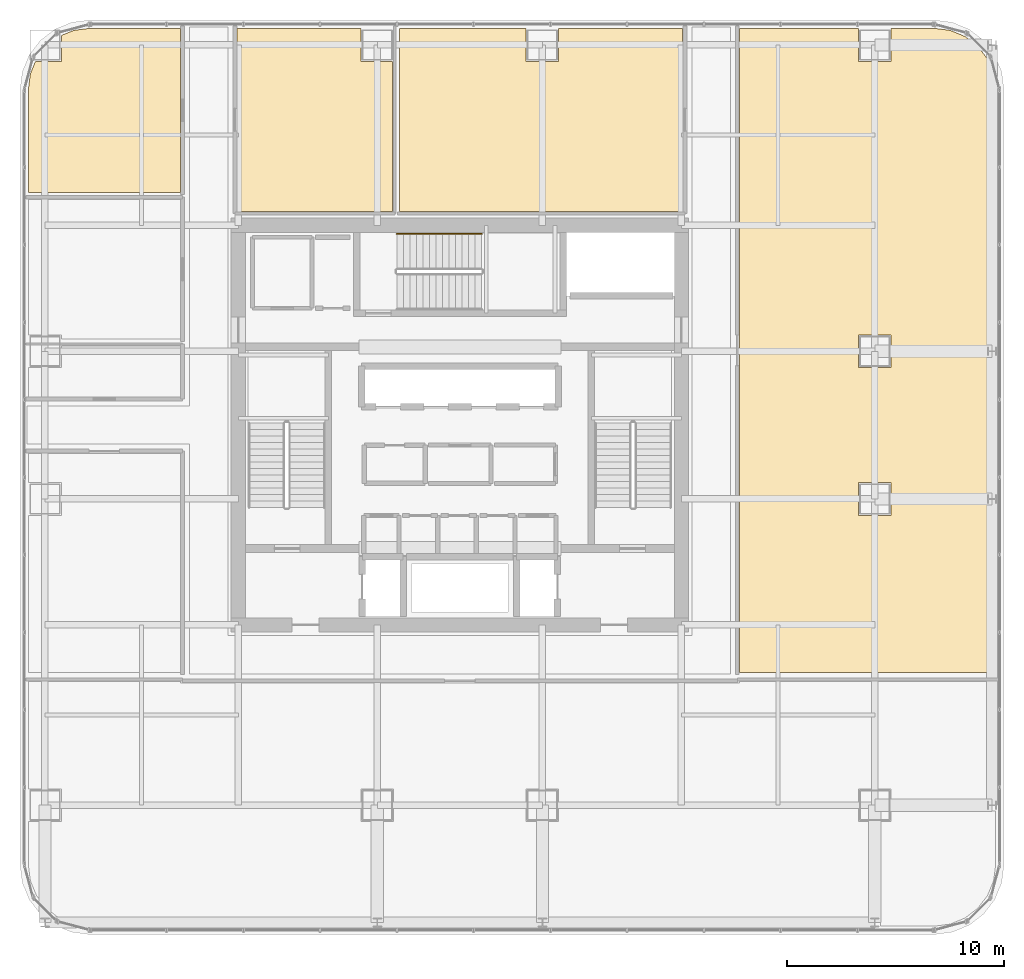
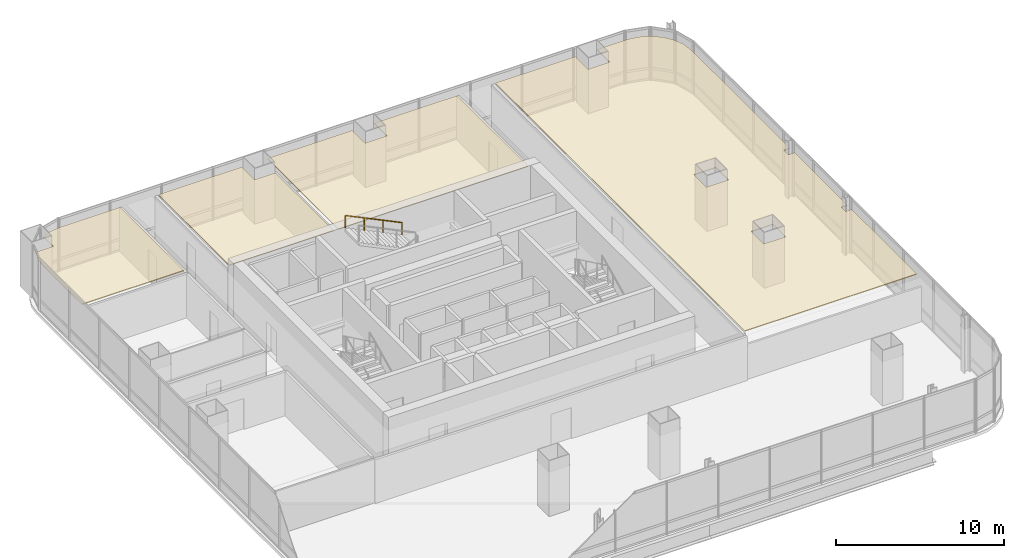
# One storey, part 36 of 36: 4 coverings, 1 railing.
"""IFC4 building model written with IfcOpenShell, lengths in metres."""

from ifc_helpers import new_model, si_unit, direction, frame, origin, origin_2d, place, context, subcontext, project, spatial, polyline, circle, outline, extrude, material, layer, layer_set, type_object, element, save


model = new_model("IFC4")

# Units and contexts
model_context = context("Model", 3, precision=1e-05, world=origin(), true_north=direction((0.0, 1.0)))
body_context = subcontext(model_context, "Body", "Model", "MODEL_VIEW")
ifc_project = project(units=[si_unit("LENGTHUNIT", "METRE"), si_unit("AREAUNIT", "SQUARE_METRE"), si_unit("VOLUMEUNIT", "CUBIC_METRE"), si_unit("PLANEANGLEUNIT", "RADIAN"), si_unit("MASSUNIT", "GRAM", prefix="KILO")], contexts=[model_context])

# Site, building, storey
site_placement = place(None, origin())
site = spatial("IfcSite", under=ifc_project, at=site_placement, CompositionType="ELEMENT")
building_placement = place(site_placement, origin())
building = spatial("IfcBuilding", under=site, at=building_placement, Name="Punatoya Terracotta Tower", CompositionType="ELEMENT")
storey_placement = place(building_placement, frame((0.0, 0.0, 212.699951171875)))
storey = spatial("IfcBuildingStorey", under=building, at=storey_placement, Name="L50", CompositionType="ELEMENT", Elevation=212.699951171875)

# Coverings
ifc_material_1 = material(Name="Acoustic Mineral Fibre Ceiling")
ifc_layer = layer(ifc_material_1, 0.06005859375)
ifc_layer_set = layer_set([ifc_layer], Name="Acoustic Mineral Fibre Ceiling")
covering_type = type_object("IfcCoveringType", Name="COV-CEIL-60", PredefinedType="CEILING", material=ifc_layer_set)
covering_1_placement = place(storey_placement, frame((0.0, 0.0, 3.219970703125)))
element("IfcCovering", 1, at=covering_1_placement, inside=storey, type_object=covering_type, Name="L50 Executive Briefing Room Acoustic Ceiling", PredefinedType="CEILING", context=body_context, shape_type="SweptSolid", body=[
    extrude(outline(polyline([(18.35009765625, 18.27001953125), (12.8701171875, 18.27001953125), (12.8701171875, -11.389892578125), (24.669921875, -11.389892578125), (24.669921875, -3.66259765625), (24.24560546875, -3.66259765625), (24.24560546875, -3.137451171875), (24.669921875, -3.137451171875), (24.669921875, 3.137451171875), (24.24560546875, 3.137451171875), (24.24560546875, 3.66259765625), (24.669921875, 3.66259765625), (24.669921875, 15.425048828125), (24.57080078125, 16.178955078125), (24.289306640625, 16.8583984375), (23.841796875, 17.441650390625), (23.25830078125, 17.889404296875), (22.5791015625, 18.1708984375), (21.8251953125, 18.27001953125), (19.85009765625, 18.27001953125), (19.85009765625, 16.75), (18.35009765625, 16.75), (18.35009765625, 18.27001953125)]), holes=[polyline([(18.35009765625, -4.14990234375), (18.35009765625, -2.64990234375), (19.85009765625, -2.64990234375), (19.85009765625, -4.14990234375), (18.35009765625, -4.14990234375)]), polyline([(18.35009765625, 4.14990234375), (19.85009765625, 4.14990234375), (19.85009765625, 2.64990234375), (18.35009765625, 2.64990234375), (18.35009765625, 4.14990234375)])]), origin(), (0.0, 0.0, 1.0), 0.06005859375),
])
covering_2_placement = place(storey_placement, frame((0.0, 0.0, 3.219970703125)))
element("IfcCovering", 2, at=covering_2_placement, inside=storey, type_object=covering_type, Name="L50 Open-Plan Delegate Reception Lounge Acoustic Ceiling", PredefinedType="CEILING", context=body_context, shape_type="SweptSolid", body=[
    extrude(outline(polyline([(-4.550048828125, 16.75), (-4.550048828125, 18.27001953125), (-10.260009765625, 18.27001953125), (-10.260009765625, 9.840087890625), (-3.093994140625, 9.840087890625), (-3.093994140625, 16.75), (-4.550048828125, 16.75)])), origin(), (0.0, 0.0, 1.0), 0.06005859375),
])
covering_3_placement = place(storey_placement, frame((0.0, 0.0, 3.219970703125)))
element("IfcCovering", 3, at=covering_3_placement, inside=storey, type_object=covering_type, Name="L50 Open-Plan Wellness Focus Room Acoustic Ceiling", PredefinedType="CEILING", context=body_context, shape_type="SweptSolid", body=[
    extrude(outline(polyline([(3.050048828125, 18.27001953125), (-2.77392578125, 18.27001953125), (-2.77392578125, 9.840087890625), (10.260009765625, 9.840087890625), (10.260009765625, 18.27001953125), (4.550048828125, 18.27001953125), (4.550048828125, 16.75), (3.050048828125, 16.75), (3.050048828125, 18.27001953125)])), origin(), (0.0, 0.0, 1.0), 0.06005859375),
])
covering_4_placement = place(storey_placement, frame((0.0, 0.0, 3.219970703125)))
element("IfcCovering", 4, at=covering_4_placement, inside=storey, type_object=covering_type, Name="L50 Open-Plan Case-Study Classroom Acoustic Ceiling", PredefinedType="CEILING", context=body_context, shape_type="SweptSolid", body=[
    extrude(outline(polyline([(-19.770751953125, 16.178955078125), (-19.8701171875, 15.425048828125), (-19.8701171875, 10.714111328125), (-12.8701171875, 10.714111328125), (-12.8701171875, 18.27001953125), (-17.025146484375, 18.27001953125), (-17.779052734375, 18.1708984375), (-18.35009765625, 17.934326171875), (-18.35009765625, 16.75), (-19.5341796875, 16.75), (-19.770751953125, 16.178955078125)])), origin(), (0.0, 0.0, 1.0), 0.06005859375),
])

# Railing
ifc_material_2 = material(Name="Steel S355", Category="steel")
railing_type = type_object("IfcRailingType", Name="RLG-HND-900", PredefinedType="HANDRAIL", material=ifc_material_2)
railing_placement = place(storey_placement, frame((1.0, 8.800048828125, 2.169677734375)))
element("IfcRailing", 5, at=railing_placement, inside=storey, type_object=railing_type, Name="L50 ST-3 stair handrail 2", PredefinedType="HANDRAIL", context=body_context, shape_type="SweptSolid", body=[
    extrude(circle(Radius=0.02392578125, at=origin_2d()), frame((0.0, 0.0, 0.8759765625), z_axis=(-0.900763166376, 0.0, 0.434310623978), x_axis=(0.0, -1.0, 0.0)), (0.0, 0.0, 1.0), 4.32958984375),
    extrude(circle(Radius=0.02099609375, at=origin_2d()), origin(), (0.0, 0.0, 1.0), 0.851806640625),
    extrude(circle(Radius=0.02099609375, at=origin_2d()), frame((-1.300048828125, 0.0, 0.626708984375)), (0.0, 0.0, 1.0), 0.851806640625),
    extrude(circle(Radius=0.02099609375, at=origin_2d()), frame((-2.599853515625, 0.0, 1.253662109375)), (0.0, 0.0, 1.0), 0.851806640625),
    extrude(circle(Radius=0.02099609375, at=origin_2d()), frame((-3.89990234375, 0.0, 1.88037109375)), (0.0, 0.0, 1.0), 0.851806640625),
])

save(model, "model.ifc")
